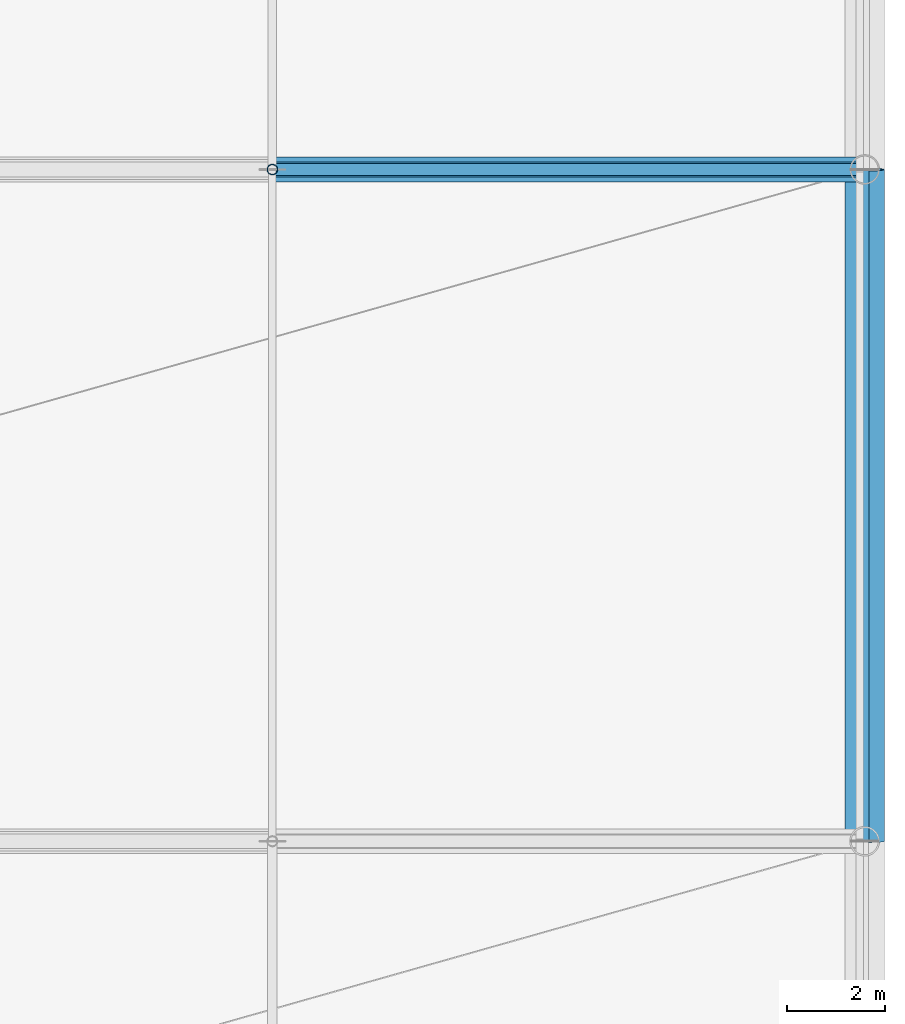
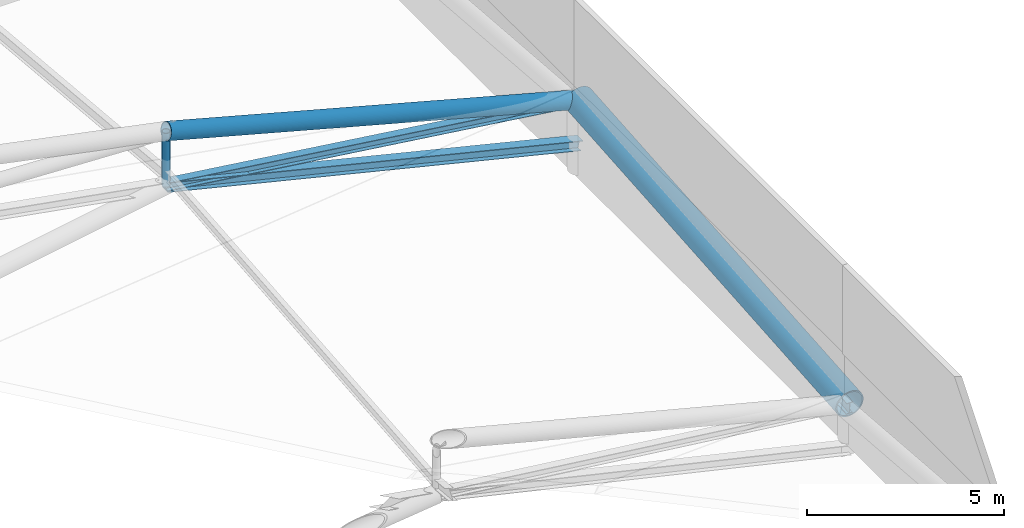
# One storey, part 24 of 36: 5 members, 1 beam.
"""IFC4 building model written with IfcOpenShell, lengths in metres."""

from ifc_helpers import new_model, si_unit, direction, frame, origin, origin_2d, place, context, subcontext, project, spatial, hollow_circle, i_section, extrude, material, material_profile, profile_set, type_object, element, save


model = new_model("IFC4")

# Units and contexts
model_context = context("Model", 3, precision=1e-05, world=origin(), true_north=direction((0.0, 1.0)))
body_context = subcontext(model_context, "Body", "Model", "MODEL_VIEW")
ifc_project = project(units=[si_unit("LENGTHUNIT", "METRE"), si_unit("AREAUNIT", "SQUARE_METRE"), si_unit("VOLUMEUNIT", "CUBIC_METRE"), si_unit("PLANEANGLEUNIT", "RADIAN"), si_unit("MASSUNIT", "GRAM", prefix="KILO")], contexts=[model_context])

# Site, building, storey
site_placement = place(None, origin())
site = spatial("IfcSite", under=ifc_project, at=site_placement, CompositionType="ELEMENT")
building_placement = place(site_placement, origin())
building = spatial("IfcBuilding", under=site, at=building_placement, Name="Linyun Crest Stadium", CompositionType="ELEMENT")
storey_placement = place(building_placement, frame((0.0, 0.0, 31.60009765625)))
storey = spatial("IfcBuildingStorey", under=building, at=storey_placement, Name="RF", CompositionType="ELEMENT", Elevation=31.60009765625)

# Beam
ifc_material_1 = material(Name="Steel Q420C", Category="steel")
ifc_material_profile_1 = material_profile(ifc_material_1, hollow_circle(Radius=0.406494140625, WallThickness=0.035888671875, at=origin_2d()), Name="CHS 813x36")
ifc_profile_set_1 = profile_set([ifc_material_profile_1], Name="Steel Q420C")
beam_type = type_object("IfcBeamType", Name="HB01", PredefinedType="USERDEFINED", material=ifc_profile_set_1)
beam_placement = place(storey_placement, frame((-35.5, 15.875, 1.0478515625), z_axis=(0.0, 0.996786513506, 0.080103973014), x_axis=(-1.0, 0.0, 0.0)))
element("IfcBeam", 1, at=beam_placement, inside=storey, type_object=beam_type, Name="Roof Inner tension ring beam HB01 V1 11", ObjectType="RING BEAM", PredefinedType="USERDEFINED", context=body_context, shape_type="SweptSolid", body=[
    extrude(hollow_circle(Radius=0.406494140625, WallThickness=0.035888671875, at=origin_2d()), origin(), (0.0, 0.0, 1.0), 13.79443359375),
])

# Members
ifc_material_2 = material(Name="Steel Q355B", Category="steel")
ifc_material_profile_2 = material_profile(ifc_material_2, i_section(OverallWidth=0.175048828125, OverallDepth=0.35009765625, WebThickness=0.007080078125, FlangeThickness=0.010986328125, at=origin_2d()), Name="HN 350x175")
ifc_profile_set_2 = profile_set([ifc_material_profile_2], Name="Steel Q355B")
member_type_1 = type_object("IfcMemberType", Name="PR02", PredefinedType="PURLIN", material=ifc_profile_set_2)
member_1_placement = place(storey_placement, frame((-35.5, 15.875, 0.912841796875), z_axis=(0.0, 0.996786513506, 0.080103973014), x_axis=(-1.0, 0.0, 0.0)))
element("IfcMember", 2, at=member_1_placement, inside=storey, type_object=member_type_1, Name="Roof canopy purlin PR02 V1 175", PredefinedType="PURLIN", context=body_context, shape_type="SweptSolid", body=[
    extrude(i_section(OverallWidth=0.175048828125, OverallDepth=0.35009765625, WebThickness=0.007080078125, FlangeThickness=0.010986328125, at=origin_2d()), origin(), (0.0, 0.0, 1.0), 13.79443359375),
])
ifc_material_3 = material(Name="Steel Q420C", Category="steel")
ifc_material_profile_3 = material_profile(ifc_material_3, hollow_circle(Radius=0.25390625, WallThickness=0.02490234375, at=origin_2d()), Name="CHS 508x25")
ifc_profile_set_3 = profile_set([ifc_material_profile_3], Name="Steel Q420C")
member_type_2 = type_object("IfcMemberType", Name="TC01", PredefinedType="CHORD", material=ifc_profile_set_3)
member_2_placement = place(storey_placement, frame((-47.625, 29.625, 5.414794921875), z_axis=(0.965664927757, 0.0, -0.25979077601), x_axis=(0.0, 1.0, 0.0)))
element("IfcMember", 3, at=member_2_placement, inside=storey, type_object=member_type_2, Name="Roof truss top chord TC01 V1 128", PredefinedType="CHORD", context=body_context, shape_type="SweptSolid", body=[
    extrude(hollow_circle(Radius=0.25390625, WallThickness=0.02490234375, at=origin_2d()), origin(), (0.0, 0.0, 1.0), 12.55615234375),
])
ifc_material_4 = material(Name="Steel Q355C", Category="steel")
ifc_material_profile_4 = material_profile(ifc_material_4, i_section(OverallWidth=0.300048828125, OverallDepth=0.300048828125, WebThickness=0.010009765625, FlangeThickness=0.014892578125, at=origin_2d()), Name="HW 300x300")
ifc_profile_set_4 = profile_set([ifc_material_profile_4], Name="Steel Q355C")
member_type_3 = type_object("IfcMemberType", Name="TC03", PredefinedType="CHORD", material=ifc_profile_set_4)
member_3_placement = place(storey_placement, frame((-47.625, 29.625, 3.7509765625), z_axis=(0.971651571526, 0.0, -0.236417477254), x_axis=(0.0, 1.0, 0.0)))
element("IfcMember", 4, at=member_3_placement, inside=storey, type_object=member_type_3, Name="Roof truss bottom chord TC03 V1 129", PredefinedType="CHORD", context=body_context, shape_type="SweptSolid", body=[
    extrude(i_section(OverallWidth=0.300048828125, OverallDepth=0.300048828125, WebThickness=0.010009765625, FlangeThickness=0.014892578125, at=origin_2d()), origin(), (0.0, 0.0, 1.0), 12.478759765625),
])
ifc_material_5 = material(Name="Steel Q355C", Category="steel")
ifc_material_profile_5 = material_profile(ifc_material_5, i_section(OverallWidth=0.25, OverallDepth=0.25, WebThickness=0.009033203125, FlangeThickness=0.013916015625, at=origin_2d()), Name="HW 250x250")
ifc_profile_set_5 = profile_set([ifc_material_profile_5], Name="Steel Q355C")
member_type_4 = type_object("IfcMemberType", Name="TD04", PredefinedType="BRACE", material=ifc_profile_set_5)
member_4_placement = place(storey_placement, frame((-47.625, 29.625, 3.7509765625), z_axis=(0.991425189848, 0.0, -0.130675525385), x_axis=(0.0, 1.0, 0.0)))
element("IfcMember", 5, at=member_4_placement, inside=storey, type_object=member_type_4, Name="Roof truss diagonal TD04 V1 130", PredefinedType="BRACE", context=body_context, shape_type="SweptSolid", body=[
    extrude(i_section(OverallWidth=0.25, OverallDepth=0.25, WebThickness=0.009033203125, FlangeThickness=0.013916015625, at=origin_2d()), origin(), (0.0, 0.0, 1.0), 12.22998046875),
])
ifc_material_6 = material(Name="Steel Q355C", Category="steel")
ifc_material_profile_6 = material_profile(ifc_material_6, hollow_circle(Radius=0.109619140625, WallThickness=0.011962890625, at=origin_2d()), Name="CHS 219x12")
ifc_profile_set_6 = profile_set([ifc_material_profile_6], Name="Steel Q355C")
member_type_5 = type_object("IfcMemberType", Name="TV01", PredefinedType="STRUT", material=ifc_profile_set_6)
member_5_placement = place(storey_placement, frame((-47.625, 29.625, 3.7509765625), z_axis=(0.0, 0.0, 1.0), x_axis=(1.0, 0.0, 0.0)))
element("IfcMember", 6, at=member_5_placement, inside=storey, type_object=member_type_5, Name="Roof vertical strut TV01 V1 131", PredefinedType="STRUT", context=body_context, shape_type="SweptSolid", body=[
    extrude(hollow_circle(Radius=0.109619140625, WallThickness=0.011962890625, at=origin_2d()), origin(), (0.0, 0.0, 1.0), 1.663818359375),
])

save(model, "model.ifc")
